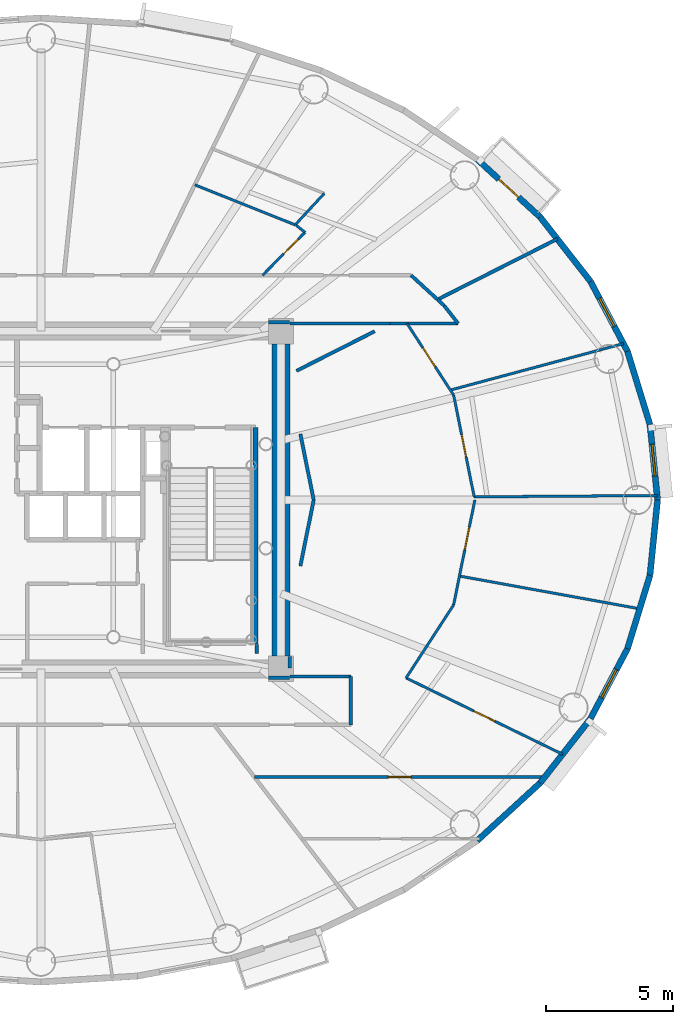
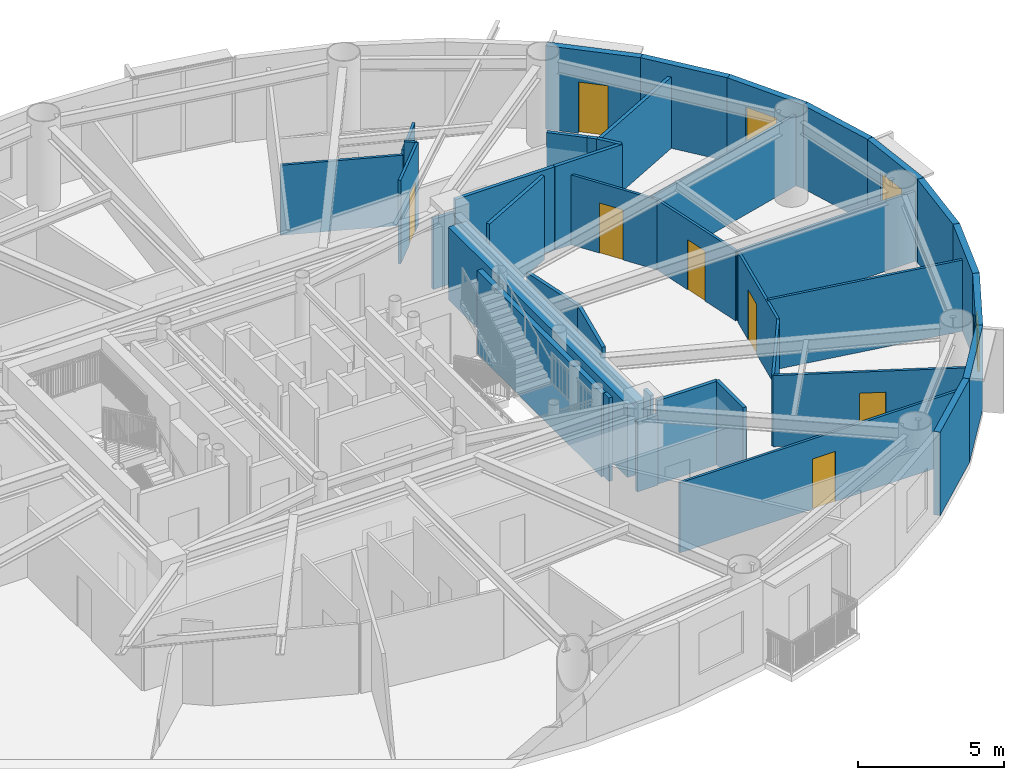
# One storey, part 9 of 18: 40 walls, 7 doors, 3 windows, 10 openings.
"""IFC4 building model written with IfcOpenShell, lengths in metres."""

from ifc_helpers import new_model, si_unit, direction, frame, frame_2d, origin, origin_2d, place, context, subcontext, project, spatial, rectangle, extrude, source, transform, mapped, material, layer, layer_set, type_object, element, fill, save


model = new_model("IFC4")

# Units and contexts
model_context = context("Model", 3, precision=1e-05, world=origin(), true_north=direction((0.0, 1.0)))
body_context = subcontext(model_context, "Body", "Model", "MODEL_VIEW")
ifc_project = project(units=[si_unit("LENGTHUNIT", "METRE"), si_unit("AREAUNIT", "SQUARE_METRE"), si_unit("VOLUMEUNIT", "CUBIC_METRE"), si_unit("PLANEANGLEUNIT", "RADIAN"), si_unit("MASSUNIT", "GRAM", prefix="KILO")], contexts=[model_context])

# Site, building, storey
site_placement = place(None, origin())
site = spatial("IfcSite", under=ifc_project, at=site_placement, CompositionType="ELEMENT")
building_placement = place(site_placement, origin())
building = spatial("IfcBuilding", under=site, at=building_placement, Name="Linh Dai School and Residence Tower", CompositionType="ELEMENT")
storey_placement = place(building_placement, frame((0.0, 0.0, 225.300048828125)))
storey = spatial("IfcBuildingStorey", under=building, at=storey_placement, Name="L55", CompositionType="ELEMENT", Elevation=225.300048828125)

# Wall, opening, window
ifc_material_1 = material(Name="Precast Concrete B45 (C35/45)", Category="concrete")
ifc_layer_1 = layer(ifc_material_1, 0.239990234375)
ifc_layer_set_1 = layer_set([ifc_layer_1], Name="Precast Concrete B45 (C35/45)")
wall_type_1 = type_object("IfcWallType", Name="EW-TC-240", PredefinedType="SOLIDWALL", material=ifc_layer_set_1)
wall_1_placement = place(storey_placement, frame((59.97705078125, 29.9638671875, 0.0), z_axis=(0.0, 0.0, 1.0), x_axis=(0.099990595253, -0.994988382274, 0.0)))
wall_1 = element("IfcWall", 1, at=wall_1_placement, inside=storey, type_object=wall_type_1, Name="L55 Terracotta Exterior Wall 01", PredefinedType="SOLIDWALL", context=body_context, shape_type="SweptSolid", body=[
    extrude(rectangle(XDim=2.978759765625, YDim=0.239990234375, at=frame_2d((1.4892578125, 0.0))), origin(), (0.0, 0.0, 1.0), 3.5),
])
opening_1_placement = place(wall_1_placement, frame((0.776611328125, 0.0, 0.89990234375)))
opening_1 = element("IfcOpeningElement", 2, at=opening_1_placement, cuts=wall_1, Name="Opening W3", PredefinedType="OPENING", context=body_context, shape_type="SweptSolid", body=[
    extrude(rectangle(XDim=1.25, YDim=1.64990234375, at=origin_2d()), frame((0.625, 0.1298828125, 0.824951171875), z_axis=(0.0, -1.0, 0.0), x_axis=(1.0, 0.0, 0.0)), (0.0, 0.0, 1.0), 0.260009765625),
])
ifc_material_2 = material(Name="Double Low-E Insulated Glazing", Category="glass")
window_type = type_object("IfcWindowType", Name="WN-RES-1250x1650", PartitioningType="SINGLE_PANEL", PredefinedType="WINDOW", material=ifc_material_2)
shared_shape_1 = source(origin(), body_context, "Body", "SweptSolid", [
    extrude(rectangle(XDim=1.25, YDim=1.64990234375, at=origin_2d()), frame((0.625, 0.030029296875, 0.824951171875), z_axis=(0.0, -1.0, 0.0), x_axis=(1.0, 0.0, 0.0)), (0.0, 0.0, 1.0), 0.06005859375),
])
window_1_placement = place(opening_1_placement, origin())
window_1 = element("IfcWindow", 3, at=window_1_placement, inside=storey, type_object=window_type, Name="L55 Exterior Window 01.1", OverallHeight=1.64990234375, OverallWidth=1.25, PartitioningType="SINGLE_PANEL", PredefinedType="WINDOW", context=body_context, shape_type="MappedRepresentation", body=[
    mapped(shared_shape_1, transform((0.0, 0.0, 0.0), x_axis=(1.0, 0.0, 0.0), y_axis=(0.0, 1.0, 0.0), z_axis=(0.0, 0.0, 1.0), scale=1.0)),
])
fill(opening_1, window_1)

# Wall
wall_2_placement = place(storey_placement, frame((59.09033203125, 32.85595703125, 0.0), z_axis=(0.0, 0.0, 1.0), x_axis=(0.293132907334, -0.95607170162, 0.0)))
element("IfcWall", 4, at=wall_2_placement, inside=storey, type_object=wall_type_1, Name="L55 Terracotta Exterior Wall 02", PredefinedType="SOLIDWALL", context=body_context, shape_type="SweptSolid", body=[
    extrude(rectangle(XDim=3.02490234375, YDim=0.239990234375, at=frame_2d((1.512451171875, 0.0))), origin(), (0.0, 0.0, 1.0), 3.5),
])

# Wall, opening, window
wall_3_placement = place(storey_placement, frame((57.6357421875, 35.605224609375, 0.0), z_axis=(0.0, 0.0, 1.0), x_axis=(0.46766049993, -0.883908172157, 0.0)))
wall_3 = element("IfcWall", 5, at=wall_3_placement, inside=storey, type_object=wall_type_1, Name="L55 Terracotta Exterior Wall 03", PredefinedType="SOLIDWALL", context=body_context, shape_type="SweptSolid", body=[
    extrude(rectangle(XDim=3.1103515625, YDim=0.239990234375, at=frame_2d((1.55517578125, 0.0))), origin(), (0.0, 0.0, 1.0), 3.5),
])
opening_2_placement = place(wall_3_placement, frame((0.751220703125, 0.0, 0.89990234375)))
opening_2 = element("IfcOpeningElement", 6, at=opening_2_placement, cuts=wall_3, Name="Opening W3", PredefinedType="OPENING", context=body_context, shape_type="SweptSolid", body=[
    extrude(rectangle(XDim=1.25, YDim=1.64990234375, at=origin_2d()), frame((0.625, 0.1298828125, 0.824951171875), z_axis=(0.0, -1.0, 0.0), x_axis=(1.0, 0.0, 0.0)), (0.0, 0.0, 1.0), 0.260009765625),
])
window_2_placement = place(opening_2_placement, origin())
window_2 = element("IfcWindow", 7, at=window_2_placement, inside=storey, type_object=window_type, Name="L55 Exterior Window 03.1", OverallHeight=1.64990234375, OverallWidth=1.25, PartitioningType="SINGLE_PANEL", PredefinedType="WINDOW", context=body_context, shape_type="MappedRepresentation", body=[
    mapped(shared_shape_1, transform((0.0, 0.0, 0.0), x_axis=(1.0, 0.0, 0.0), y_axis=(0.0, 1.0, 0.0), z_axis=(0.0, 0.0, 1.0), scale=1.0)),
])
fill(opening_2, window_2)

# Wall
wall_4_placement = place(storey_placement, frame((55.6484375, 38.14453125, 0.0), z_axis=(0.0, 0.0, 1.0), x_axis=(0.616312344705, -0.787501805562, 0.0)))
element("IfcWall", 8, at=wall_4_placement, inside=storey, type_object=wall_type_1, Name="L55 Terracotta Exterior Wall 04", PredefinedType="SOLIDWALL", context=body_context, shape_type="SweptSolid", body=[
    extrude(rectangle(XDim=3.224609375, YDim=0.239990234375, at=frame_2d((1.6123046875, 0.0))), origin(), (0.0, 0.0, 1.0), 3.5),
])

# Wall, opening, door
wall_5_placement = place(storey_placement, frame((53.17626953125, 40.410888671875, 0.0), z_axis=(0.0, 0.0, 1.0), x_axis=(0.737123922599, -0.675757591694, 0.0)))
wall_5 = element("IfcWall", 9, at=wall_5_placement, inside=storey, type_object=wall_type_1, Name="L55 Terracotta Exterior Wall 05", PredefinedType="SOLIDWALL", context=body_context, shape_type="SweptSolid", body=[
    extrude(rectangle(XDim=3.353759765625, YDim=0.239990234375, at=frame_2d((1.6767578125, 0.0))), origin(), (0.0, 0.0, 1.0), 3.5),
])
opening_3_placement = place(wall_5_placement, frame((1.15185546875, 0.0, 0.0)))
opening_3 = element("IfcOpeningElement", 10, at=opening_3_placement, cuts=wall_5, Name="Opening BD1", PredefinedType="OPENING", context=body_context, shape_type="SweptSolid", body=[
    extrude(rectangle(XDim=1.050048828125, YDim=2.14990234375, at=origin_2d()), frame((0.52490234375, 0.1298828125, 1.074951171875), z_axis=(0.0, -1.0, 0.0), x_axis=(1.0, 0.0, 0.0)), (0.0, 0.0, 1.0), 0.260009765625),
])
ifc_material_3 = material(Name="Double-Glazed Balcony Door", Category="glass")
door_type_1 = type_object("IfcDoorType", Name="DR-BALC-1050x2150", OperationType="NOTDEFINED", PredefinedType="DOOR", material=ifc_material_3)
shared_shape_2 = source(origin(), body_context, "Body", "SweptSolid", [
    extrude(rectangle(XDim=1.050048828125, YDim=2.14990234375, at=origin_2d()), frame((0.52490234375, 0.02490234375, 1.074951171875), z_axis=(0.0, -1.0, 0.0), x_axis=(1.0, 0.0, 0.0)), (0.0, 0.0, 1.0), 0.050048828125),
])
door_1_placement = place(opening_3_placement, origin())
door_1 = element("IfcDoor", 11, at=door_1_placement, inside=storey, type_object=door_type_1, Name="L55 Glazed Balcony Door 05", OperationType="SINGLE_SWING_RIGHT", OverallHeight=2.14990234375, OverallWidth=1.050048828125, PredefinedType="DOOR", context=body_context, shape_type="MappedRepresentation", body=[
    mapped(shared_shape_2, transform((0.0, 0.0, 0.0), x_axis=(1.0, 0.0, 0.0), y_axis=(0.0, 1.0, 0.0), z_axis=(0.0, 0.0, 1.0), scale=1.0)),
])
fill(opening_3, door_1)

# Walls
wall_6_placement = place(storey_placement, frame((55.6484375, 15.85546875, 0.0), z_axis=(0.0, 0.0, 1.0), x_axis=(-0.737123922599, -0.675757591694, 0.0)))
element("IfcWall", 12, at=wall_6_placement, inside=storey, type_object=wall_type_1, Name="L55 Terracotta Exterior Wall 36", PredefinedType="SOLIDWALL", context=body_context, shape_type="SweptSolid", body=[
    extrude(rectangle(XDim=3.353759765625, YDim=0.239990234375, at=frame_2d((1.6767578125, 0.0))), origin(), (0.0, 0.0, 1.0), 3.5),
])
wall_7_placement = place(storey_placement, frame((57.6357421875, 18.394775390625, 0.0), z_axis=(0.0, 0.0, 1.0), x_axis=(-0.616312344705, -0.787501805562, 0.0)))
element("IfcWall", 13, at=wall_7_placement, inside=storey, type_object=wall_type_1, Name="L55 Terracotta Exterior Wall 37", PredefinedType="SOLIDWALL", context=body_context, shape_type="SweptSolid", body=[
    extrude(rectangle(XDim=3.224609375, YDim=0.239990234375, at=frame_2d((1.6123046875, 0.0))), origin(), (0.0, 0.0, 1.0), 3.5),
])

# Wall, opening, window
wall_8_placement = place(storey_placement, frame((59.09033203125, 21.14404296875, 0.0), z_axis=(0.0, 0.0, 1.0), x_axis=(-0.46766049993, -0.883908172157, 0.0)))
wall_8 = element("IfcWall", 14, at=wall_8_placement, inside=storey, type_object=wall_type_1, Name="L55 Terracotta Exterior Wall 38", PredefinedType="SOLIDWALL", context=body_context, shape_type="SweptSolid", body=[
    extrude(rectangle(XDim=3.1103515625, YDim=0.239990234375, at=frame_2d((1.55517578125, 0.0))), origin(), (0.0, 0.0, 1.0), 3.5),
])
opening_4_placement = place(wall_8_placement, frame((0.93017578125, 0.0, 0.89990234375)))
opening_4 = element("IfcOpeningElement", 15, at=opening_4_placement, cuts=wall_8, Name="Opening W3", PredefinedType="OPENING", context=body_context, shape_type="SweptSolid", body=[
    extrude(rectangle(XDim=1.25, YDim=1.64990234375, at=origin_2d()), frame((0.625, 0.1298828125, 0.824951171875), z_axis=(0.0, -1.0, 0.0), x_axis=(1.0, 0.0, 0.0)), (0.0, 0.0, 1.0), 0.260009765625),
])
window_3_placement = place(opening_4_placement, origin())
window_3 = element("IfcWindow", 16, at=window_3_placement, inside=storey, type_object=window_type, Name="L55 Dwelling Window U5504-BD1", OverallHeight=1.64990234375, OverallWidth=1.25, PartitioningType="SINGLE_PANEL", PredefinedType="WINDOW", context=body_context, shape_type="MappedRepresentation", body=[
    mapped(shared_shape_1, transform((0.0, 0.0, 0.0), x_axis=(1.0, 0.0, 0.0), y_axis=(0.0, 1.0, 0.0), z_axis=(0.0, 0.0, 1.0), scale=1.0)),
])
fill(opening_4, window_3)

# Walls
wall_9_placement = place(storey_placement, frame((59.97705078125, 24.0361328125, 0.0), z_axis=(0.0, 0.0, 1.0), x_axis=(-0.293132907334, -0.95607170162, 0.0)))
element("IfcWall", 17, at=wall_9_placement, inside=storey, type_object=wall_type_1, Name="L55 Terracotta Exterior Wall 39", PredefinedType="SOLIDWALL", context=body_context, shape_type="SweptSolid", body=[
    extrude(rectangle(XDim=3.02490234375, YDim=0.239990234375, at=frame_2d((1.512451171875, 0.0))), origin(), (0.0, 0.0, 1.0), 3.5),
])
wall_10_placement = place(storey_placement, frame((60.27490234375, 27.0, 0.0), z_axis=(0.0, 0.0, 1.0), x_axis=(-0.099990595253, -0.994988382274, 0.0)))
element("IfcWall", 18, at=wall_10_placement, inside=storey, type_object=wall_type_1, Name="L55 Terracotta Exterior Wall 40", PredefinedType="SOLIDWALL", context=body_context, shape_type="SweptSolid", body=[
    extrude(rectangle(XDim=2.978759765625, YDim=0.239990234375, at=frame_2d((1.4892578125, 0.0))), origin(), (0.0, 0.0, 1.0), 3.5),
])
ifc_material_4 = material(Name="Autoclaved Aerated Concrete Blockwork", Category="masonry")
ifc_layer_2 = layer(ifc_material_4, 0.135009765625)
ifc_layer_set_2 = layer_set([ifc_layer_2], Name="Autoclaved Aerated Concrete Blockwork")
wall_type_2 = type_object("IfcWallType", Name="IW-CORR-135-EI90", PredefinedType="PARTITIONING", material=ifc_layer_set_2)
wall_11_placement = place(storey_placement, frame((45.800048828125, 20.050048828125, 0.0), z_axis=(0.0, 0.0, 1.0), x_axis=(1.0, 0.0, 0.0)))
element("IfcWall", 19, at=wall_11_placement, inside=storey, type_object=wall_type_2, Name="L55 Interior Partition Wall 072", PredefinedType="PARTITIONING", context=body_context, shape_type="SweptSolid", body=[
    extrude(rectangle(XDim=2.39990234375, YDim=0.135009765625, at=frame_2d((1.199951171875, 0.0))), origin(), (0.0, 0.0, 1.0), 3.5),
])
wall_12_placement = place(storey_placement, frame((48.199951171875, 18.14990234375, 0.0), z_axis=(0.0, 0.0, 1.0), x_axis=(0.0, 1.0, 0.0)))
element("IfcWall", 20, at=wall_12_placement, inside=storey, type_object=wall_type_2, Name="L55 Interior Partition Wall 076", PredefinedType="PARTITIONING", context=body_context, shape_type="SweptSolid", body=[
    extrude(rectangle(XDim=1.900146484375, YDim=0.135009765625, at=frame_2d((0.9501953125, 0.0))), origin(), (0.0, 0.0, 1.0), 3.5),
])
wall_13_placement = place(storey_placement, frame((49.74755859375, 33.949951171875, 0.0), z_axis=(0.0, 0.0, 1.0), x_axis=(1.0, 0.0, 0.0)))
element("IfcWall", 21, at=wall_13_placement, inside=storey, type_object=wall_type_2, Name="L55 Interior Partition Wall 077", PredefinedType="PARTITIONING", context=body_context, shape_type="SweptSolid", body=[
    extrude(rectangle(XDim=2.67626953125, YDim=0.135009765625, at=frame_2d((1.338134765625, 0.0))), origin(), (0.0, 0.0, 1.0), 3.5),
])
wall_14_placement = place(storey_placement, frame((50.56787109375, 35.85009765625, 0.0), z_axis=(0.0, 0.0, 1.0), x_axis=(0.737032525587, -0.675857275042, 0.0)))
element("IfcWall", 22, at=wall_14_placement, inside=storey, type_object=wall_type_2, Name="L55 Interior Partition Wall 081", PredefinedType="PARTITIONING", context=body_context, shape_type="SweptSolid", body=[
    extrude(rectangle(XDim=1.416748046875, YDim=0.135009765625, at=frame_2d((0.70849609375, 0.0))), origin(), (0.0, 0.0, 1.0), 3.5),
])
wall_15_placement = place(storey_placement, frame((51.61962890625, 34.885986328125, 0.0), z_axis=(0.0, 0.0, 1.0), x_axis=(0.736889635292, -0.676013065998, 0.0)))
element("IfcWall", 23, at=wall_15_placement, inside=storey, type_object=wall_type_2, Name="L55 Interior Partition Wall 082", PredefinedType="PARTITIONING", context=body_context, shape_type="SweptSolid", body=[
    extrude(rectangle(XDim=0.344970703125, YDim=0.135009765625, at=frame_2d((0.17236328125, 0.0))), origin(), (0.0, 0.0, 1.0), 3.5),
])
wall_16_placement = place(storey_placement, frame((51.612060546875, 34.892578125, 0.0), z_axis=(0.0, 0.0, 1.0), x_axis=(0.892442847759, 0.451160463122, 0.0)))
element("IfcWall", 24, at=wall_16_placement, inside=storey, type_object=wall_type_2, Name="L55 Interior Partition Wall 083", PredefinedType="PARTITIONING", context=body_context, shape_type="SweptSolid", body=[
    extrude(rectangle(XDim=5.2890625, YDim=0.135009765625, at=frame_2d((2.64453125, 0.0))), origin(), (0.0, 0.0, 1.0), 2.98486328125),
])
wall_17_placement = place(storey_placement, frame((51.873779296875, 34.65283203125, 0.0), z_axis=(0.0, 0.0, 1.0), x_axis=(0.61628613448, -0.787522317429, 0.0)))
element("IfcWall", 25, at=wall_17_placement, inside=storey, type_object=wall_type_2, Name="L55 Interior Partition Wall 084", PredefinedType="PARTITIONING", context=body_context, shape_type="SweptSolid", body=[
    extrude(rectangle(XDim=0.892578125, YDim=0.135009765625, at=frame_2d((0.4462890625, 0.0))), origin(), (0.0, 0.0, 1.0), 3.5),
])
wall_18_placement = place(storey_placement, frame((44.5, 20.9599609375, 0.0), z_axis=(0.0, 0.0, 1.0), x_axis=(0.0, 1.0, 0.0)))
element("IfcWall", 26, at=wall_18_placement, inside=storey, type_object=wall_type_2, Name="L55 Interior Partition Wall 094", PredefinedType="PARTITIONING", context=body_context, shape_type="SweptSolid", body=[
    extrude(rectangle(XDim=0.360107421875, YDim=0.135009765625, at=frame_2d((0.18017578125, 0.0))), origin(), (0.0, 0.0, 1.0), 3.5),
])
wall_19_placement = place(storey_placement, frame((49.737548828125, 33.949951171875, 0.0), z_axis=(0.0, 0.0, 1.0), x_axis=(-1.0, 0.0, 0.0)))
element("IfcWall", 27, at=wall_19_placement, inside=storey, type_object=wall_type_2, Name="L55 Interior Partition Wall 097", PredefinedType="PARTITIONING", context=body_context, shape_type="SweptSolid", body=[
    extrude(rectangle(XDim=3.9375, YDim=0.135009765625, at=frame_2d((1.96875, 0.0))), origin(), (0.0, 0.0, 1.0), 3.5),
])
for number, where, z_axis, x_axis, name in (
    (28, (45.7900390625, 34.0, 0.0), (0.0, 0.0, 1.0), (-1.0, 0.0, 0.0), "L55 Interior Partition Wall 098"),
    (29, (44.9599609375, 20.0, 0.0), (0.0, 0.0, 1.0), (1.0, 0.0, 0.0), "L55 Interior Partition Wall 103"),
):
    element("IfcWall", number, at=place(storey_placement, frame(where, z_axis=z_axis, x_axis=x_axis)), inside=storey, type_object=wall_type_2, Name=name, PredefinedType="PARTITIONING", context=body_context, shape_type="SweptSolid", body=[
        extrude(rectangle(XDim=0.830078125, YDim=0.135009765625, at=frame_2d((0.4150390625, 0.0))), origin(), (0.0, 0.0, 1.0), 2.93505859375),
    ])
wall_20_placement = place(storey_placement, frame((45.800048828125, 20.37744140625, 0.0), z_axis=(0.0, 0.0, 1.0), x_axis=(0.0, 1.0, 0.0)))
element("IfcWall", 30, at=wall_20_placement, inside=storey, type_object=wall_type_2, Name="L55 Interior Partition Wall 106", PredefinedType="PARTITIONING", context=body_context, shape_type="SweptSolid", body=[
    extrude(rectangle(XDim=0.462646484375, YDim=0.135009765625, at=frame_2d((0.2314453125, 0.0))), origin(), (0.0, 0.0, 1.0), 3.5),
])
for number, where, z_axis, x_axis, name in (
    (31, (46.21044921875, 24.40234375, 0.0), (0.0, 0.0, 1.0), (0.198330009585, 0.980135300506, 0.0), "L55 Interior Partition Wall 107"),
    (32, (46.736083984375, 27.0, 0.0), (0.0, 0.0, 1.0), (-0.198330009585, 0.980135300506, 0.0), "L55 Interior Partition Wall 108"),
):
    element("IfcWall", number, at=place(storey_placement, frame(where, z_axis=z_axis, x_axis=x_axis)), inside=storey, type_object=wall_type_2, Name=name, PredefinedType="PARTITIONING", context=body_context, shape_type="SweptSolid", body=[
        extrude(rectangle(XDim=2.650390625, YDim=0.135009765625, at=frame_2d((1.3251953125, 0.0))), origin(), (0.0, 0.0, 1.0), 2.93505859375),
    ])
wall_21_placement = place(storey_placement, frame((46.06005859375, 32.085693359375, 0.0), z_axis=(0.0, 0.0, 1.0), x_axis=(0.892408614257, 0.451228174209, 0.0)))
element("IfcWall", 33, at=wall_21_placement, inside=storey, type_object=wall_type_2, Name="L55 Interior Partition Wall 109", PredefinedType="PARTITIONING", context=body_context, shape_type="SweptSolid", body=[
    extrude(rectangle(XDim=3.450439453125, YDim=0.135009765625, at=frame_2d((1.72509765625, 0.0))), origin(), (0.0, 0.0, 1.0), 3.5),
])
ifc_material_5 = material(Name="Concrete B45 (C35/45)", Category="concrete")
ifc_layer_3 = layer(ifc_material_5, 0.199951171875)
ifc_layer_set_3 = layer_set([ifc_layer_3], Name="Concrete B45 (C35/45)")
wall_type_3 = type_object("IfcWallType", Name="IW-SHAFT-200-EI120", PredefinedType="PARTITIONING", material=ifc_layer_set_3)
wall_22_placement = place(storey_placement, frame((44.43994140625, 21.330078125, 0.0), z_axis=(0.0, 0.0, 1.0), x_axis=(0.0, 1.0, 0.0)))
element("IfcWall", 34, at=wall_22_placement, inside=storey, type_object=wall_type_3, Name="L55 Interior Partition Wall 070", PredefinedType="PARTITIONING", context=body_context, shape_type="SweptSolid", body=[
    extrude(rectangle(XDim=8.52001953125, YDim=0.199951171875, at=frame_2d((4.260009765625, 0.0))), origin(), (0.0, 0.0, 1.0), 3.5),
])
ifc_material_6 = material(Name="Gypsum Plasterboard Acoustic Stud Partition", Category="masonry")
ifc_layer_4 = layer(ifc_material_6, 0.10009765625)
ifc_layer_set_4 = layer_set([ifc_layer_4], Name="Gypsum Plasterboard Acoustic Stud Partition")
wall_type_4 = type_object("IfcWallType", Name="IW-UNIT-100", PredefinedType="PARTITIONING", material=ifc_layer_set_4)
wall_23_placement = place(storey_placement, frame((42.052734375, 39.409912109375, 0.0), z_axis=(0.0, 0.0, 1.0), x_axis=(0.928800647075, -0.370579759286, 0.0)))
element("IfcWall", 35, at=wall_23_placement, inside=storey, type_object=wall_type_4, Name="L55 Interior Partition Wall 066", PredefinedType="PARTITIONING", context=body_context, shape_type="SweptSolid", body=[
    extrude(rectangle(XDim=4.25732421875, YDim=0.10009765625, at=frame_2d((2.128662109375, 0.0))), origin(), (0.0, 0.0, 1.0), 2.93505859375),
])

# Wall, opening, door
wall_24_placement = place(storey_placement, frame((44.400634765625, 16.093994140625, 0.0), z_axis=(0.0, 0.0, 1.0), x_axis=(1.0, 0.0, 0.0)))
wall_24 = element("IfcWall", 36, at=wall_24_placement, inside=storey, type_object=wall_type_4, Name="L55 Interior Partition Wall 069", PredefinedType="PARTITIONING", context=body_context, shape_type="SweptSolid", body=[
    extrude(rectangle(XDim=11.44091796875, YDim=0.10009765625, at=frame_2d((5.720458984375, 0.0))), origin(), (0.0, 0.0, 1.0), 2.93505859375),
])
opening_5_placement = place(wall_24_placement, frame((5.2705078125, 0.0, 0.0)))
opening_5 = element("IfcOpeningElement", 37, at=opening_5_placement, cuts=wall_24, Name="Opening D05", PredefinedType="OPENING", context=body_context, shape_type="SweptSolid", body=[
    extrude(rectangle(XDim=0.89990234375, YDim=2.10009765625, at=origin_2d()), frame((0.449951171875, 0.06005859375, 1.050048828125), z_axis=(0.0, -1.0, 0.0), x_axis=(1.0, 0.0, 0.0)), (0.0, 0.0, 1.0), 0.1201171875),
])
ifc_material_7 = material(Name="Engineered Timber Internal Door", Category="wood")
door_type_2 = type_object("IfcDoorType", Name="DR-INT-900x2100", OperationType="NOTDEFINED", PredefinedType="DOOR", material=ifc_material_7)
shared_shape_3 = source(origin(), body_context, "Body", "SweptSolid", [
    extrude(rectangle(XDim=0.89990234375, YDim=2.10009765625, at=origin_2d()), frame((0.449951171875, 0.02490234375, 1.050048828125), z_axis=(0.0, -1.0, 0.0), x_axis=(1.0, 0.0, 0.0)), (0.0, 0.0, 1.0), 0.050048828125),
])
door_2_placement = place(opening_5_placement, origin())
door_2 = element("IfcDoor", 38, at=door_2_placement, inside=storey, type_object=door_type_2, Name="L55 Apartment U5504 Kitchen Door", OperationType="SINGLE_SWING_LEFT", OverallHeight=2.10009765625, OverallWidth=0.89990234375, PredefinedType="DOOR", context=body_context, shape_type="MappedRepresentation", body=[
    mapped(shared_shape_3, transform((0.0, 0.0, 0.0), x_axis=(1.0, 0.0, 0.0), y_axis=(0.0, 1.0, 0.0), z_axis=(0.0, 0.0, 1.0), scale=1.0)),
])
fill(opening_5, door_2)

wall_25_placement = place(storey_placement, frame((44.724365234375, 35.85009765625, 0.0), z_axis=(0.0, 0.0, 1.0), x_axis=(0.702107196604, 0.712071263622, 0.0)))
wall_25 = element("IfcWall", 39, at=wall_25_placement, inside=storey, type_object=wall_type_4, Name="L55 Interior Partition Wall 071", PredefinedType="PARTITIONING", context=body_context, shape_type="SweptSolid", body=[
    extrude(rectangle(XDim=2.376708984375, YDim=0.10009765625, at=frame_2d((1.1884765625, 0.0))), origin(), (0.0, 0.0, 1.0), 3.5),
])
opening_6_placement = place(wall_25_placement, frame((1.17333984375, 0.0, 0.0)))
opening_6 = element("IfcOpeningElement", 40, at=opening_6_placement, cuts=wall_25, Name="Opening D06", PredefinedType="OPENING", context=body_context, shape_type="SweptSolid", body=[
    extrude(rectangle(XDim=0.820068359375, YDim=2.10009765625, at=origin_2d()), frame((0.41015625, 0.06005859375, 1.050048828125), z_axis=(0.0, -1.0, 0.0), x_axis=(1.0, 0.0, 0.0)), (0.0, 0.0, 1.0), 0.1201171875),
])
ifc_material_8 = material(Name="Moisture-Resistant Timber Bathroom Door", Category="wood")
door_type_3 = type_object("IfcDoorType", Name="DR-WET-820x2100", OperationType="NOTDEFINED", PredefinedType="DOOR", material=ifc_material_8)
shared_shape_4 = source(origin(), body_context, "Body", "SweptSolid", [
    extrude(rectangle(XDim=0.820068359375, YDim=2.10009765625, at=origin_2d()), frame((0.41015625, 0.02490234375, 1.050048828125), z_axis=(0.0, -1.0, 0.0), x_axis=(1.0, 0.0, 0.0)), (0.0, 0.0, 1.0), 0.050048828125),
])
door_3_placement = place(opening_6_placement, origin())
door_3 = element("IfcDoor", 41, at=door_3_placement, inside=storey, type_object=door_type_3, Name="L55 Apartment U5505 Bathroom Door", OperationType="SINGLE_SWING_RIGHT", OverallHeight=2.10009765625, OverallWidth=0.820068359375, PredefinedType="DOOR", context=body_context, shape_type="MappedRepresentation", body=[
    mapped(shared_shape_4, transform((0.0, 0.0, 0.0), x_axis=(1.0, 0.0, 0.0), y_axis=(0.0, 1.0, 0.0), z_axis=(0.0, 0.0, 1.0), scale=1.0)),
])
fill(opening_6, door_3)

# Walls
wall_26_placement = place(storey_placement, frame((46.0068359375, 37.832275390625, 0.0), z_axis=(0.0, 0.0, 1.0), x_axis=(0.678598883011, 0.734509057791, 0.0)))
element("IfcWall", 42, at=wall_26_placement, inside=storey, type_object=wall_type_4, Name="L55 Interior Partition Wall 073", PredefinedType="PARTITIONING", context=body_context, shape_type="SweptSolid", body=[
    extrude(rectangle(XDim=1.685546875, YDim=0.10009765625, at=frame_2d((0.8427734375, 0.0))), origin(), (0.0, 0.0, 1.0), 3.125),
])
wall_27_placement = place(storey_placement, frame((46.039306640625, 37.8193359375, 0.0), z_axis=(0.0, 0.0, 1.0), x_axis=(0.787505001008, -0.616308261658, 0.0)))
element("IfcWall", 43, at=wall_27_placement, inside=storey, type_object=wall_type_4, Name="L55 Interior Partition Wall 074", PredefinedType="PARTITIONING", context=body_context, shape_type="SweptSolid", body=[
    extrude(rectangle(XDim=0.44921875, YDim=0.10009765625, at=frame_2d((0.224609375, 0.0))), origin(), (0.0, 0.0, 1.0), 3.5),
])
wall_28_placement = place(storey_placement, frame((50.37353515625, 19.992919921875, 0.0), z_axis=(0.0, 0.0, 1.0), x_axis=(0.545433660686, 0.838153996465, 0.0)))
element("IfcWall", 44, at=wall_28_placement, inside=storey, type_object=wall_type_4, Name="L55 Interior Partition Wall 078", PredefinedType="PARTITIONING", context=body_context, shape_type="SweptSolid", body=[
    extrude(rectangle(XDim=3.4296875, YDim=0.10009765625, at=frame_2d((1.71484375, 0.0))), origin(), (0.0, 0.0, 1.0), 2.93505859375),
])

# Wall, opening, door
wall_29_placement = place(storey_placement, frame((50.37353515625, 19.992919921875, 0.0), z_axis=(0.0, 0.0, 1.0), x_axis=(0.898866241562, -0.438223093618, 0.0)))
wall_29 = element("IfcWall", 45, at=wall_29_placement, inside=storey, type_object=wall_type_4, Name="L55 Interior Partition Wall 079", PredefinedType="PARTITIONING", context=body_context, shape_type="SweptSolid", body=[
    extrude(rectangle(XDim=6.8603515625, YDim=0.10009765625, at=frame_2d((3.43017578125, 0.0))), origin(), (0.0, 0.0, 1.0), 2.98486328125),
])
opening_7_placement = place(wall_29_placement, frame((2.980224609375, 0.0, 0.0)))
opening_7 = element("IfcOpeningElement", 46, at=opening_7_placement, cuts=wall_29, Name="Opening D05", PredefinedType="OPENING", context=body_context, shape_type="SweptSolid", body=[
    extrude(rectangle(XDim=0.89990234375, YDim=2.10009765625, at=origin_2d()), frame((0.449951171875, 0.06005859375, 1.050048828125), z_axis=(0.0, -1.0, 0.0), x_axis=(1.0, 0.0, 0.0)), (0.0, 0.0, 1.0), 0.1201171875),
])
door_4_placement = place(opening_7_placement, origin())
door_4 = element("IfcDoor", 47, at=door_4_placement, inside=storey, type_object=door_type_2, Name="L55 Apartment U5504 Principal Bedroom 1 Door", OperationType="SINGLE_SWING_LEFT", OverallHeight=2.10009765625, OverallWidth=0.89990234375, PredefinedType="DOOR", context=body_context, shape_type="MappedRepresentation", body=[
    mapped(shared_shape_3, transform((0.0, 0.0, 0.0), x_axis=(1.0, 0.0, 0.0), y_axis=(0.0, 1.0, 0.0), z_axis=(0.0, 0.0, 1.0), scale=1.0)),
])
fill(opening_7, door_4)

wall_30_placement = place(storey_placement, frame((50.41064453125, 33.949951171875, 0.0), z_axis=(0.0, 0.0, 1.0), x_axis=(0.545427530909, -0.838157985422, 0.0)))
wall_30 = element("IfcWall", 48, at=wall_30_placement, inside=storey, type_object=wall_type_4, Name="L55 Interior Partition Wall 080", PredefinedType="PARTITIONING", context=body_context, shape_type="SweptSolid", body=[
    extrude(rectangle(XDim=3.3603515625, YDim=0.10009765625, at=frame_2d((1.68017578125, 0.0))), origin(), (0.0, 0.0, 1.0), 2.93505859375),
])
opening_8_placement = place(wall_30_placement, frame((1.134521484375, 0.0, 0.0)))
opening_8 = element("IfcOpeningElement", 49, at=opening_8_placement, cuts=wall_30, Name="Opening D05", PredefinedType="OPENING", context=body_context, shape_type="SweptSolid", body=[
    extrude(rectangle(XDim=0.89990234375, YDim=2.10009765625, at=origin_2d()), frame((0.449951171875, 0.06005859375, 1.050048828125), z_axis=(0.0, -1.0, 0.0), x_axis=(1.0, 0.0, 0.0)), (0.0, 0.0, 1.0), 0.1201171875),
])
door_5_placement = place(opening_8_placement, origin())
door_5 = element("IfcDoor", 50, at=door_5_placement, inside=storey, type_object=door_type_2, Name="L55 Apartment U5504 Study Door", OperationType="SINGLE_SWING_RIGHT", OverallHeight=2.10009765625, OverallWidth=0.89990234375, PredefinedType="DOOR", context=body_context, shape_type="MappedRepresentation", body=[
    mapped(shared_shape_3, transform((0.0, 0.0, 0.0), x_axis=(1.0, 0.0, 0.0), y_axis=(0.0, 1.0, 0.0), z_axis=(0.0, 0.0, 1.0), scale=1.0)),
])
fill(opening_8, door_5)

# Wall
wall_31_placement = place(storey_placement, frame((52.1171875, 31.32763671875, 0.0), z_axis=(0.0, 0.0, 1.0), x_axis=(0.965792157348, 0.259317390095, 0.0)))
element("IfcWall", 51, at=wall_31_placement, inside=storey, type_object=wall_type_4, Name="L55 Interior Partition Wall 085", PredefinedType="PARTITIONING", context=body_context, shape_type="SweptSolid", body=[
    extrude(rectangle(XDim=7.06005859375, YDim=0.10009765625, at=frame_2d((3.530029296875, 0.0))), origin(), (0.0, 0.0, 1.0), 2.98486328125),
])

# Wall, opening, door
wall_32_placement = place(storey_placement, frame((52.244140625, 22.867431640625, 0.0), z_axis=(0.0, 0.0, 1.0), x_axis=(0.198264809747, 0.980148491411, 0.0)))
wall_32 = element("IfcWall", 52, at=wall_32_placement, inside=storey, type_object=wall_type_4, Name="L55 Interior Partition Wall 086", PredefinedType="PARTITIONING", context=body_context, shape_type="SweptSolid", body=[
    extrude(rectangle(XDim=4.21630859375, YDim=0.10009765625, at=frame_2d((2.108154296875, 0.0))), origin(), (0.0, 0.0, 1.0), 2.93505859375),
])
opening_9_placement = place(wall_32_placement, frame((2.218994140625, 0.0, 0.0)))
opening_9 = element("IfcOpeningElement", 53, at=opening_9_placement, cuts=wall_32, Name="Opening D05", PredefinedType="OPENING", context=body_context, shape_type="SweptSolid", body=[
    extrude(rectangle(XDim=0.89990234375, YDim=2.10009765625, at=origin_2d()), frame((0.449951171875, 0.06005859375, 1.050048828125), z_axis=(0.0, -1.0, 0.0), x_axis=(1.0, 0.0, 0.0)), (0.0, 0.0, 1.0), 0.1201171875),
])
door_6_placement = place(opening_9_placement, origin())
door_6 = element("IfcDoor", 54, at=door_6_placement, inside=storey, type_object=door_type_2, Name="L55 Apartment U5504 Study Door", OperationType="SINGLE_SWING_RIGHT", OverallHeight=2.10009765625, OverallWidth=0.89990234375, PredefinedType="DOOR", context=body_context, shape_type="MappedRepresentation", body=[
    mapped(shared_shape_3, transform((0.0, 0.0, 0.0), x_axis=(1.0, 0.0, 0.0), y_axis=(0.0, 1.0, 0.0), z_axis=(0.0, 0.0, 1.0), scale=1.0)),
])
fill(opening_9, door_6)

wall_33_placement = place(storey_placement, frame((52.244140625, 31.132568359375, 0.0), z_axis=(0.0, 0.0, 1.0), x_axis=(0.198216162216, -0.980158330596, 0.0)))
wall_33 = element("IfcWall", 55, at=wall_33_placement, inside=storey, type_object=wall_type_4, Name="L55 Interior Partition Wall 087", PredefinedType="PARTITIONING", context=body_context, shape_type="SweptSolid", body=[
    extrude(rectangle(XDim=4.09033203125, YDim=0.10009765625, at=frame_2d((2.045166015625, 0.0))), origin(), (0.0, 0.0, 1.0), 2.93505859375),
])
opening_10_placement = place(wall_33_placement, frame((1.59521484375, 0.0, 0.0)))
opening_10 = element("IfcOpeningElement", 56, at=opening_10_placement, cuts=wall_33, Name="Opening D05", PredefinedType="OPENING", context=body_context, shape_type="SweptSolid", body=[
    extrude(rectangle(XDim=0.89990234375, YDim=2.10009765625, at=origin_2d()), frame((0.449951171875, 0.06005859375, 1.050048828125), z_axis=(0.0, -1.0, 0.0), x_axis=(1.0, 0.0, 0.0)), (0.0, 0.0, 1.0), 0.1201171875),
])
door_7_placement = place(opening_10_placement, origin())
door_7 = element("IfcDoor", 57, at=door_7_placement, inside=storey, type_object=door_type_2, Name="L55 Apartment U5504 Principal Bedroom 2 Door", OperationType="SINGLE_SWING_LEFT", OverallHeight=2.10009765625, OverallWidth=0.89990234375, PredefinedType="DOOR", context=body_context, shape_type="MappedRepresentation", body=[
    mapped(shared_shape_3, transform((0.0, 0.0, 0.0), x_axis=(1.0, 0.0, 0.0), y_axis=(0.0, 1.0, 0.0), z_axis=(0.0, 0.0, 1.0), scale=1.0)),
])
fill(opening_10, door_7)

# Walls
wall_34_placement = place(storey_placement, frame((52.474365234375, 24.006103515625, 0.0), z_axis=(0.0, 0.0, 1.0), x_axis=(0.98388667926, -0.178793183242, 0.0)))
element("IfcWall", 58, at=wall_34_placement, inside=storey, type_object=wall_type_4, Name="L55 Interior Partition Wall 088", PredefinedType="PARTITIONING", context=body_context, shape_type="SweptSolid", body=[
    extrude(rectangle(XDim=7.21923828125, YDim=0.10009765625, at=frame_2d((3.609619140625, 0.0))), origin(), (0.0, 0.0, 1.0), 2.98486328125),
])
wall_35_placement = place(storey_placement, frame((53.054931640625, 27.123291015625, 0.0), z_axis=(0.0, 0.0, 1.0), x_axis=(0.999973728257, 0.007248640941, 0.0)))
element("IfcWall", 59, at=wall_35_placement, inside=storey, type_object=wall_type_4, Name="L55 Interior Partition Wall 089", PredefinedType="PARTITIONING", context=body_context, shape_type="SweptSolid", body=[
    extrude(rectangle(XDim=7.207763671875, YDim=0.10009765625, at=frame_2d((3.60400390625, 0.0))), origin(), (0.0, 0.0, 1.0), 2.93505859375),
])
ifc_layer_5 = layer(ifc_material_5, 0.699951171875)
ifc_layer_set_5 = layer_set([ifc_layer_5], Name="Concrete B45 (C35/45)")
wall_type_5 = type_object("IfcWallType", Name="WL-CORE700", PredefinedType="SHEAR", material=ifc_layer_set_5)
wall_36_placement = place(storey_placement, frame((45.449951171875, 33.14990234375, 0.0), z_axis=(0.0, 0.0, 1.0), x_axis=(0.0, -1.0, 0.0)))
element("IfcWall", 60, at=wall_36_placement, inside=storey, type_object=wall_type_5, Name="L55 Central Core Shear Wall E", PredefinedType="SHEAR", context=body_context, shape_type="SweptSolid", body=[
    extrude(rectangle(XDim=12.2998046875, YDim=0.699951171875, at=frame_2d((6.14990234375, 0.0))), origin(), (0.0, 0.0, 1.0), 3.050048828125),
])

save(model, "model.ifc")
